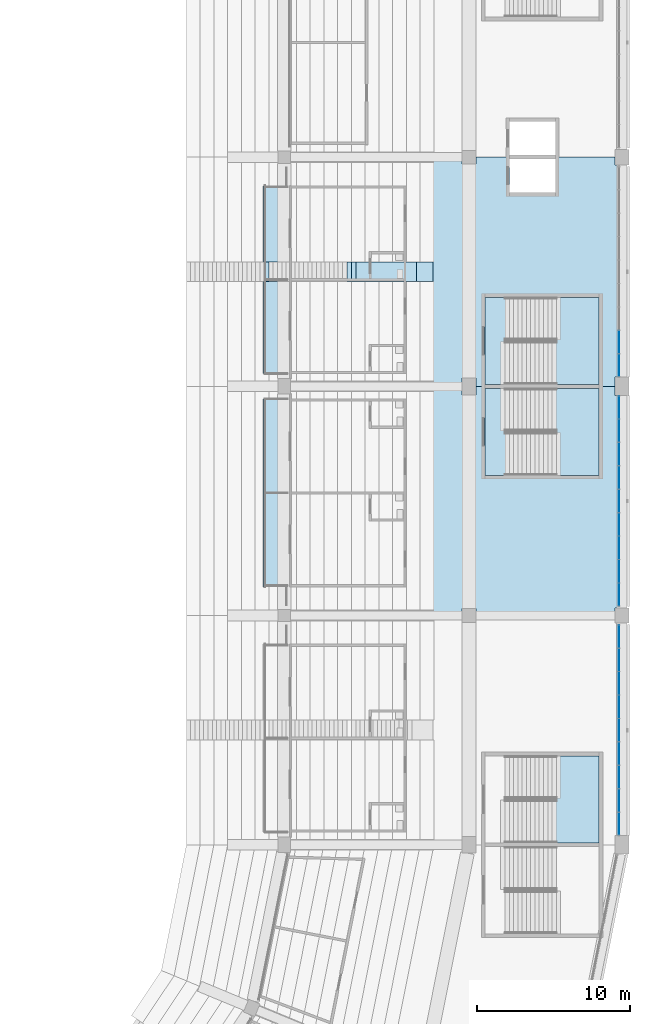
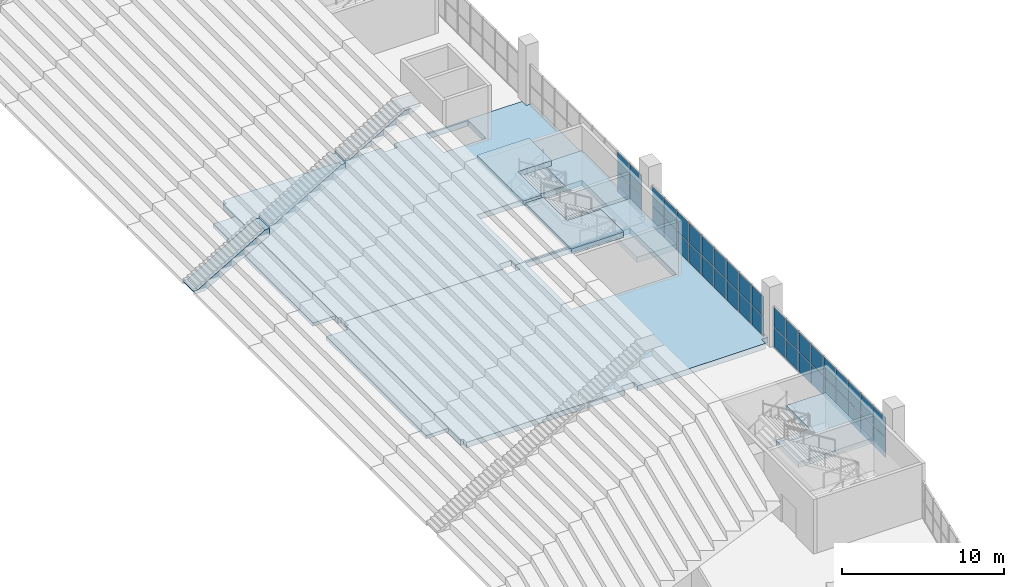
# One storey, part 72 of 249: 40 plates, 12 slabs, 6 elements without a shape of their own.
"""IFC4 building model written with IfcOpenShell, lengths in metres."""

from ifc_helpers import new_model, si_unit, direction, frame, origin, origin_2d, place, context, subcontext, project, spatial, polyline, rectangle, outline, extrude, material, layer, layer_set, type_object, element, aggregate, save


model = new_model("IFC4")

# Units and contexts
model_context = context("Model", 3, precision=1e-05, world=origin(), true_north=direction((0.0, 1.0)))
body_context = subcontext(model_context, "Body", "Model", "MODEL_VIEW")
ifc_project = project(units=[si_unit("LENGTHUNIT", "METRE"), si_unit("AREAUNIT", "SQUARE_METRE"), si_unit("VOLUMEUNIT", "CUBIC_METRE"), si_unit("PLANEANGLEUNIT", "RADIAN"), si_unit("MASSUNIT", "GRAM", prefix="KILO")], contexts=[model_context])

# Site, building, storey
site_placement = place(None, origin())
site = spatial("IfcSite", under=ifc_project, at=site_placement, CompositionType="ELEMENT")
building_placement = place(site_placement, origin())
building = spatial("IfcBuilding", under=site, at=building_placement, Name="Ogive Plaza Stadium", CompositionType="ELEMENT")
storey_placement = place(building_placement, frame((0.0, 0.0, 13.5)))
storey = spatial("IfcBuildingStorey", under=building, at=storey_placement, Name="L03", CompositionType="ELEMENT", Elevation=13.5)

# Slabs
ifc_material_1 = material(Name="Concrete C40/50", Category="concrete")
ifc_layer_1 = layer(ifc_material_1, 0.73486328125)
ifc_layer_set_1 = layer_set([ifc_layer_1], Name="Concrete C40/50")
ifc_layer_2 = layer(ifc_material_1, 0.449951171875)
ifc_layer_set_2 = layer_set([ifc_layer_2], Name="Concrete C40/50")
slab_type_1 = type_object("IfcSlabType", Name="Aisle stair slab 1300", PredefinedType="USERDEFINED", material=ifc_layer_set_2)
slab_1_placement = place(storey_placement, frame((55.5, -15.0, -13.5), z_axis=(0.0, 0.0, 1.0), x_axis=(1.0, 0.0, 0.0)))
element("IfcSlab", 1, at=slab_1_placement, inside=storey, type_object=slab_type_1, material=ifc_layer_set_1, Name="Aisle stair SA05U slab 1", ObjectType="AISLE STAIR SLAB", PredefinedType="USERDEFINED", context=body_context, shape_type="SweptSolid", body=[
    extrude(outline(polyline([(0.0, 14.0), (0.2958984375, 14.0), (5.10009765625, 16.825927734375), (5.39990234375, 16.825927734375), (5.39990234375, 16.300048828125), (5.359375, 16.27734375), (5.209228515625, 16.194091796875), (5.059326171875, 16.110595703125), (4.9091796875, 16.02734375), (4.75927734375, 15.944091796875), (4.609375, 15.860595703125), (4.459228515625, 15.77734375), (4.309326171875, 15.694091796875), (4.1591796875, 15.610595703125), (4.00927734375, 15.52734375), (3.859375, 15.444091796875), (3.709228515625, 15.360595703125), (3.559326171875, 15.27734375), (3.4091796875, 15.194091796875), (3.25927734375, 15.110595703125), (3.109375, 15.02734375), (2.959228515625, 14.944091796875), (2.809326171875, 14.860595703125), (2.6591796875, 14.77734375), (2.50927734375, 14.694091796875), (2.359375, 14.610595703125), (2.209228515625, 14.52734375), (2.059326171875, 14.444091796875), (1.9091796875, 14.360595703125), (1.75927734375, 14.27734375), (1.609375, 14.194091796875), (1.459228515625, 14.110595703125), (1.309326171875, 14.02734375), (1.1591796875, 13.944091796875), (1.00927734375, 13.860595703125), (0.859375, 13.77734375), (0.709228515625, 13.75), (0.559326171875, 13.75), (0.4091796875, 13.75), (0.25927734375, 13.75), (0.109375, 13.75), (0.0, 14.0)])), frame((0.0, 0.64990234375, 0.0), z_axis=(0.0, -1.0, 0.0), x_axis=(1.0, 0.0, 0.0)), (0.0, 0.0, 1.0), 1.300048828125),
])
ifc_layer_3 = layer(ifc_material_1, 0.75927734375)
ifc_layer_set_3 = layer_set([ifc_layer_3], Name="Concrete C40/50")
slab_2_placement = place(storey_placement, frame((60.89990234375, -15.0, -13.5), z_axis=(0.0, 0.0, 1.0), x_axis=(1.0, 0.0, 0.0)))
element("IfcSlab", 2, at=slab_2_placement, inside=storey, type_object=slab_type_1, material=ifc_layer_set_3, Name="Aisle stair SA05U slab 2", ObjectType="AISLE STAIR SLAB", PredefinedType="USERDEFINED", context=body_context, shape_type="SweptSolid", body=[
    extrude(outline(polyline([(0.0, 17.0), (0.2958984375, 17.0), (5.10009765625, 19.825927734375), (5.39990234375, 19.825927734375), (5.39990234375, 19.300048828125), (5.25, 19.216796875), (5.10009765625, 19.13330078125), (4.949951171875, 19.050048828125), (4.800048828125, 18.966796875), (4.64990234375, 18.88330078125), (4.5, 18.800048828125), (4.35009765625, 18.716796875), (4.199951171875, 18.63330078125), (4.050048828125, 18.550048828125), (3.89990234375, 18.466796875), (3.75, 18.38330078125), (3.60009765625, 18.300048828125), (3.449951171875, 18.216796875), (3.300048828125, 18.13330078125), (3.14990234375, 18.050048828125), (3.0, 17.966796875), (2.85009765625, 17.88330078125), (2.699951171875, 17.800048828125), (2.550048828125, 17.716796875), (2.39990234375, 17.63330078125), (2.25, 17.550048828125), (2.10009765625, 17.466796875), (1.949951171875, 17.38330078125), (1.800048828125, 17.300048828125), (1.64990234375, 17.216796875), (1.5, 17.13330078125), (1.35009765625, 17.050048828125), (1.199951171875, 16.966796875), (1.050048828125, 16.88330078125), (0.89990234375, 16.800048828125), (0.75, 16.716796875), (0.60009765625, 16.63330078125), (0.449951171875, 16.550048828125), (0.300048828125, 16.466796875), (0.14990234375, 16.38330078125), (0.0, 16.300048828125), (0.0, 17.0)])), frame((0.0, 0.64990234375, 0.0), z_axis=(0.0, -1.0, 0.0), x_axis=(1.0, 0.0, 0.0)), (0.0, 0.0, 1.0), 1.300048828125),
])
ifc_layer_4 = layer(ifc_material_1, 1.08056640625)
ifc_layer_set_4 = layer_set([ifc_layer_4], Name="Concrete C40/50")
slab_3_placement = place(storey_placement, frame((66.300048828125, -15.0, -13.5), z_axis=(0.0, 0.0, 1.0), x_axis=(1.0, 0.0, 0.0)))
element("IfcSlab", 3, at=slab_3_placement, inside=storey, type_object=slab_type_1, material=ifc_layer_set_4, Name="Aisle stair SA05U slab 3", ObjectType="AISLE STAIR SLAB", PredefinedType="USERDEFINED", context=body_context, shape_type="SweptSolid", body=[
    extrude(outline(polyline([(0.0, 20.0), (0.2958984375, 20.0), (4.25, 22.325927734375), (5.35009765625, 22.325927734375), (5.35009765625, 22.272216796875), (5.25, 22.216796875), (5.10009765625, 22.13330078125), (4.949951171875, 22.050048828125), (4.800048828125, 21.966796875), (4.64990234375, 21.88330078125), (4.5, 21.800048828125), (4.35009765625, 21.716796875), (4.199951171875, 21.63330078125), (4.050048828125, 21.550048828125), (3.89990234375, 21.466796875), (3.75, 21.38330078125), (3.60009765625, 21.300048828125), (3.449951171875, 21.216796875), (3.300048828125, 21.13330078125), (3.14990234375, 21.050048828125), (3.0, 20.966796875), (2.85009765625, 20.88330078125), (2.699951171875, 20.800048828125), (2.550048828125, 20.716796875), (2.39990234375, 20.63330078125), (2.25, 20.550048828125), (2.10009765625, 20.466796875), (1.949951171875, 20.38330078125), (1.800048828125, 20.300048828125), (1.64990234375, 20.216796875), (1.5, 20.13330078125), (1.35009765625, 20.050048828125), (1.199951171875, 19.966796875), (1.050048828125, 19.88330078125), (0.89990234375, 19.800048828125), (0.75, 19.716796875), (0.60009765625, 19.63330078125), (0.449951171875, 19.550048828125), (0.300048828125, 19.466796875), (0.14990234375, 19.38330078125), (0.0, 19.300048828125), (0.0, 20.0)])), frame((0.0, 0.64990234375, 0.0), z_axis=(0.0, -1.0, 0.0), x_axis=(1.0, 0.0, 0.0)), (0.0, 0.0, 1.0), 1.300048828125),
])
ifc_material_2 = material(Name="Concrete C40/50", Category="concrete")
ifc_layer_5 = layer(ifc_material_2, 0.25)
ifc_layer_set_5 = layer_set([ifc_layer_5], Name="Concrete C40/50")
slab_type_2 = type_object("IfcSlabType", Name="Balcony slab 250", PredefinedType="FLOOR", material=ifc_layer_set_5)
slab_4_placement = place(storey_placement, frame((0.0, 0.0, -0.25)))
element("IfcSlab", 4, at=slab_4_placement, inside=storey, type_object=slab_type_2, Name="Suite terrace slab B05", PredefinedType="FLOOR", context=body_context, shape_type="SweptSolid", body=[
    extrude(outline(polyline([(60.5, -21.675048828125), (62.10009765625, -21.675048828125), (62.10009765625, -9.375), (60.5, -9.375), (60.5, -21.675048828125)])), origin(), (0.0, 0.0, 1.0), 0.25),
])
slab_5_placement = place(storey_placement, frame((0.0, 0.0, -0.25)))
element("IfcSlab", 5, at=slab_5_placement, inside=storey, type_object=slab_type_2, Name="Suite terrace slab B06", PredefinedType="FLOOR", context=body_context, shape_type="SweptSolid", body=[
    extrude(outline(polyline([(60.5, -35.625), (62.10009765625, -35.625), (62.10009765625, -23.324951171875), (60.5, -23.324951171875), (60.5, -35.625)])), origin(), (0.0, 0.0, 1.0), 0.25),
])

# Curtain wall, plates
ifc_material_3 = material(Name="Bronze-anodised aluminium with laminated glass", Category="aluminium")
curtain_wall_type = type_object("IfcCurtainWallType", Name="Lancet curtain wall", PredefinedType="NOTDEFINED", material=ifc_material_3)
curtain_wall_1_placement = place(storey_placement, origin())
curtain_wall_1 = element("IfcCurtainWall", 6, at=curtain_wall_1_placement, inside=storey, type_object=curtain_wall_type, Name="CURTAIN WALL B05 L03", PredefinedType="NOTDEFINED")
ifc_material_4 = material(Name="Laminated glass", Category="glass")
ifc_layer_6 = layer(ifc_material_4, 0.028076171875)
ifc_layer_set_6 = layer_set([ifc_layer_6], Name="Laminated glass panel 28")
plate_type = type_object("IfcPlateType", Name="Laminated glass panel 28", PredefinedType="CURTAIN_PANEL", material=ifc_layer_set_6)
plate_1_placement = place(storey_placement, frame((83.800048828125, -19.60009765625, 0.0498046875), z_axis=(0.0, 0.0, 1.0), x_axis=(0.0, -1.0, 0.0)))
plate_1 = element("IfcPlate", 7, at=plate_1_placement, type_object=plate_type, Name="CW-B05-L03 panel 8.1", PredefinedType="CURTAIN_PANEL", context=body_context, shape_type="SweptSolid", body=[
    extrude(rectangle(XDim=1.4833984375, YDim=0.028076171875, at=origin_2d()), origin(), (0.0, 0.0, 1.0), 1.469970703125),
])
plate_2_placement = place(storey_placement, frame((83.800048828125, -19.60009765625, 1.56982421875), z_axis=(0.0, 0.0, 1.0), x_axis=(0.0, -1.0, 0.0)))
plate_2 = element("IfcPlate", 8, at=plate_2_placement, type_object=plate_type, Name="CW-B05-L03 panel 8.2", PredefinedType="CURTAIN_PANEL", context=body_context, shape_type="SweptSolid", body=[
    extrude(rectangle(XDim=1.4833984375, YDim=0.028076171875, at=origin_2d()), origin(), (0.0, 0.0, 1.0), 1.469970703125),
])
plate_3_placement = place(storey_placement, frame((83.800048828125, -21.120849609375, 0.0498046875), z_axis=(0.0, 0.0, 1.0), x_axis=(0.0, -1.0, 0.0)))
plate_3 = element("IfcPlate", 9, at=plate_3_placement, type_object=plate_type, Name="CW-B05-L03 panel 9.1", PredefinedType="CURTAIN_PANEL", context=body_context, shape_type="SweptSolid", body=[
    extrude(rectangle(XDim=1.458251953125, YDim=0.028076171875, at=origin_2d()), origin(), (0.0, 0.0, 1.0), 1.469970703125),
])
plate_4_placement = place(storey_placement, frame((83.800048828125, -21.120849609375, 1.56982421875), z_axis=(0.0, 0.0, 1.0), x_axis=(0.0, -1.0, 0.0)))
plate_4 = element("IfcPlate", 10, at=plate_4_placement, type_object=plate_type, Name="CW-B05-L03 panel 9.2", PredefinedType="CURTAIN_PANEL", context=body_context, shape_type="SweptSolid", body=[
    extrude(rectangle(XDim=1.458251953125, YDim=0.028076171875, at=origin_2d()), origin(), (0.0, 0.0, 1.0), 1.469970703125),
])
aggregate(curtain_wall_1, [plate_1, plate_2, plate_3, plate_4])

curtain_wall_2_placement = place(storey_placement, origin())
curtain_wall_2 = element("IfcCurtainWall", 11, at=curtain_wall_2_placement, inside=storey, type_object=curtain_wall_type, Name="CURTAIN WALL B06 L03", PredefinedType="NOTDEFINED")
plate_5_placement = place(storey_placement, frame((83.800048828125, -23.879150390625, 0.0498046875), z_axis=(0.0, 0.0, 1.0), x_axis=(0.0, -1.0, 0.0)))
plate_5 = element("IfcPlate", 12, at=plate_5_placement, type_object=plate_type, Name="CW-B06-L03 panel 1.1", PredefinedType="CURTAIN_PANEL", context=body_context, shape_type="SweptSolid", body=[
    extrude(rectangle(XDim=1.458251953125, YDim=0.028076171875, at=origin_2d()), origin(), (0.0, 0.0, 1.0), 1.469970703125),
])
plate_6_placement = place(storey_placement, frame((83.800048828125, -23.879150390625, 1.56982421875), z_axis=(0.0, 0.0, 1.0), x_axis=(0.0, -1.0, 0.0)))
plate_6 = element("IfcPlate", 13, at=plate_6_placement, type_object=plate_type, Name="CW-B06-L03 panel 1.2", PredefinedType="CURTAIN_PANEL", context=body_context, shape_type="SweptSolid", body=[
    extrude(rectangle(XDim=1.458251953125, YDim=0.028076171875, at=origin_2d()), origin(), (0.0, 0.0, 1.0), 1.469970703125),
])
plate_7_placement = place(storey_placement, frame((83.800048828125, -25.39990234375, 0.0498046875), z_axis=(0.0, 0.0, 1.0), x_axis=(0.0, -1.0, 0.0)))
plate_7 = element("IfcPlate", 14, at=plate_7_placement, type_object=plate_type, Name="CW-B06-L03 panel 2.1", PredefinedType="CURTAIN_PANEL", context=body_context, shape_type="SweptSolid", body=[
    extrude(rectangle(XDim=1.4833984375, YDim=0.028076171875, at=origin_2d()), origin(), (0.0, 0.0, 1.0), 1.469970703125),
])
plate_8_placement = place(storey_placement, frame((83.800048828125, -25.39990234375, 1.56982421875), z_axis=(0.0, 0.0, 1.0), x_axis=(0.0, -1.0, 0.0)))
plate_8 = element("IfcPlate", 15, at=plate_8_placement, type_object=plate_type, Name="CW-B06-L03 panel 2.2", PredefinedType="CURTAIN_PANEL", context=body_context, shape_type="SweptSolid", body=[
    extrude(rectangle(XDim=1.4833984375, YDim=0.028076171875, at=origin_2d()), origin(), (0.0, 0.0, 1.0), 1.469970703125),
])
plate_9_placement = place(storey_placement, frame((83.800048828125, -26.933349609375, 0.0498046875), z_axis=(0.0, 0.0, 1.0), x_axis=(0.0, -1.0, 0.0)))
plate_9 = element("IfcPlate", 16, at=plate_9_placement, type_object=plate_type, Name="CW-B06-L03 panel 3.1", PredefinedType="CURTAIN_PANEL", context=body_context, shape_type="SweptSolid", body=[
    extrude(rectangle(XDim=1.4833984375, YDim=0.028076171875, at=origin_2d()), origin(), (0.0, 0.0, 1.0), 1.469970703125),
])
plate_10_placement = place(storey_placement, frame((83.800048828125, -26.933349609375, 1.56982421875), z_axis=(0.0, 0.0, 1.0), x_axis=(0.0, -1.0, 0.0)))
plate_10 = element("IfcPlate", 17, at=plate_10_placement, type_object=plate_type, Name="CW-B06-L03 panel 3.2", PredefinedType="CURTAIN_PANEL", context=body_context, shape_type="SweptSolid", body=[
    extrude(rectangle(XDim=1.4833984375, YDim=0.028076171875, at=origin_2d()), origin(), (0.0, 0.0, 1.0), 1.469970703125),
])
plate_11_placement = place(storey_placement, frame((83.800048828125, -28.466552734375, 0.0498046875), z_axis=(0.0, 0.0, 1.0), x_axis=(0.0, -1.0, 0.0)))
plate_11 = element("IfcPlate", 18, at=plate_11_placement, type_object=plate_type, Name="CW-B06-L03 panel 4.1", PredefinedType="CURTAIN_PANEL", context=body_context, shape_type="SweptSolid", body=[
    extrude(rectangle(XDim=1.4833984375, YDim=0.028076171875, at=origin_2d()), origin(), (0.0, 0.0, 1.0), 1.469970703125),
])
plate_12_placement = place(storey_placement, frame((83.800048828125, -28.466552734375, 1.56982421875), z_axis=(0.0, 0.0, 1.0), x_axis=(0.0, -1.0, 0.0)))
plate_12 = element("IfcPlate", 19, at=plate_12_placement, type_object=plate_type, Name="CW-B06-L03 panel 4.2", PredefinedType="CURTAIN_PANEL", context=body_context, shape_type="SweptSolid", body=[
    extrude(rectangle(XDim=1.4833984375, YDim=0.028076171875, at=origin_2d()), origin(), (0.0, 0.0, 1.0), 1.469970703125),
])
plate_13_placement = place(storey_placement, frame((83.800048828125, -30.0, 0.0498046875), z_axis=(0.0, 0.0, 1.0), x_axis=(0.0, -1.0, 0.0)))
plate_13 = element("IfcPlate", 20, at=plate_13_placement, type_object=plate_type, Name="CW-B06-L03 panel 5.1", PredefinedType="CURTAIN_PANEL", context=body_context, shape_type="SweptSolid", body=[
    extrude(rectangle(XDim=1.4833984375, YDim=0.028076171875, at=origin_2d()), origin(), (0.0, 0.0, 1.0), 1.469970703125),
])
plate_14_placement = place(storey_placement, frame((83.800048828125, -30.0, 1.56982421875), z_axis=(0.0, 0.0, 1.0), x_axis=(0.0, -1.0, 0.0)))
plate_14 = element("IfcPlate", 21, at=plate_14_placement, type_object=plate_type, Name="CW-B06-L03 panel 5.2", PredefinedType="CURTAIN_PANEL", context=body_context, shape_type="SweptSolid", body=[
    extrude(rectangle(XDim=1.4833984375, YDim=0.028076171875, at=origin_2d()), origin(), (0.0, 0.0, 1.0), 1.469970703125),
])
plate_15_placement = place(storey_placement, frame((83.800048828125, -31.533447265625, 0.0498046875), z_axis=(0.0, 0.0, 1.0), x_axis=(0.0, -1.0, 0.0)))
plate_15 = element("IfcPlate", 22, at=plate_15_placement, type_object=plate_type, Name="CW-B06-L03 panel 6.1", PredefinedType="CURTAIN_PANEL", context=body_context, shape_type="SweptSolid", body=[
    extrude(rectangle(XDim=1.4833984375, YDim=0.028076171875, at=origin_2d()), origin(), (0.0, 0.0, 1.0), 1.469970703125),
])
plate_16_placement = place(storey_placement, frame((83.800048828125, -31.533447265625, 1.56982421875), z_axis=(0.0, 0.0, 1.0), x_axis=(0.0, -1.0, 0.0)))
plate_16 = element("IfcPlate", 23, at=plate_16_placement, type_object=plate_type, Name="CW-B06-L03 panel 6.2", PredefinedType="CURTAIN_PANEL", context=body_context, shape_type="SweptSolid", body=[
    extrude(rectangle(XDim=1.4833984375, YDim=0.028076171875, at=origin_2d()), origin(), (0.0, 0.0, 1.0), 1.469970703125),
])
plate_17_placement = place(storey_placement, frame((83.800048828125, -33.066650390625, 0.0498046875), z_axis=(0.0, 0.0, 1.0), x_axis=(0.0, -1.0, 0.0)))
plate_17 = element("IfcPlate", 24, at=plate_17_placement, type_object=plate_type, Name="CW-B06-L03 panel 7.1", PredefinedType="CURTAIN_PANEL", context=body_context, shape_type="SweptSolid", body=[
    extrude(rectangle(XDim=1.4833984375, YDim=0.028076171875, at=origin_2d()), origin(), (0.0, 0.0, 1.0), 1.469970703125),
])
plate_18_placement = place(storey_placement, frame((83.800048828125, -33.066650390625, 1.56982421875), z_axis=(0.0, 0.0, 1.0), x_axis=(0.0, -1.0, 0.0)))
plate_18 = element("IfcPlate", 25, at=plate_18_placement, type_object=plate_type, Name="CW-B06-L03 panel 7.2", PredefinedType="CURTAIN_PANEL", context=body_context, shape_type="SweptSolid", body=[
    extrude(rectangle(XDim=1.4833984375, YDim=0.028076171875, at=origin_2d()), origin(), (0.0, 0.0, 1.0), 1.469970703125),
])
plate_19_placement = place(storey_placement, frame((83.800048828125, -34.60009765625, 0.0498046875), z_axis=(0.0, 0.0, 1.0), x_axis=(0.0, -1.0, 0.0)))
plate_19 = element("IfcPlate", 26, at=plate_19_placement, type_object=plate_type, Name="CW-B06-L03 panel 8.1", PredefinedType="CURTAIN_PANEL", context=body_context, shape_type="SweptSolid", body=[
    extrude(rectangle(XDim=1.4833984375, YDim=0.028076171875, at=origin_2d()), origin(), (0.0, 0.0, 1.0), 1.469970703125),
])
plate_20_placement = place(storey_placement, frame((83.800048828125, -34.60009765625, 1.56982421875), z_axis=(0.0, 0.0, 1.0), x_axis=(0.0, -1.0, 0.0)))
plate_20 = element("IfcPlate", 27, at=plate_20_placement, type_object=plate_type, Name="CW-B06-L03 panel 8.2", PredefinedType="CURTAIN_PANEL", context=body_context, shape_type="SweptSolid", body=[
    extrude(rectangle(XDim=1.4833984375, YDim=0.028076171875, at=origin_2d()), origin(), (0.0, 0.0, 1.0), 1.469970703125),
])
plate_21_placement = place(storey_placement, frame((83.800048828125, -36.120849609375, 0.0498046875), z_axis=(0.0, 0.0, 1.0), x_axis=(0.0, -1.0, 0.0)))
plate_21 = element("IfcPlate", 28, at=plate_21_placement, type_object=plate_type, Name="CW-B06-L03 panel 9.1", PredefinedType="CURTAIN_PANEL", context=body_context, shape_type="SweptSolid", body=[
    extrude(rectangle(XDim=1.458251953125, YDim=0.028076171875, at=origin_2d()), origin(), (0.0, 0.0, 1.0), 1.469970703125),
])
plate_22_placement = place(storey_placement, frame((83.800048828125, -36.120849609375, 1.56982421875), z_axis=(0.0, 0.0, 1.0), x_axis=(0.0, -1.0, 0.0)))
plate_22 = element("IfcPlate", 29, at=plate_22_placement, type_object=plate_type, Name="CW-B06-L03 panel 9.2", PredefinedType="CURTAIN_PANEL", context=body_context, shape_type="SweptSolid", body=[
    extrude(rectangle(XDim=1.458251953125, YDim=0.028076171875, at=origin_2d()), origin(), (0.0, 0.0, 1.0), 1.469970703125),
])
aggregate(curtain_wall_2, [plate_5, plate_6, plate_7, plate_8, plate_9, plate_10, plate_11, plate_12, plate_13, plate_14, plate_15, plate_16, plate_17, plate_18, plate_19, plate_20, plate_21, plate_22])

curtain_wall_3_placement = place(storey_placement, origin())
curtain_wall_3 = element("IfcCurtainWall", 30, at=curtain_wall_3_placement, inside=storey, type_object=curtain_wall_type, Name="CURTAIN WALL B07 L03", PredefinedType="NOTDEFINED")
plate_23_placement = place(storey_placement, frame((83.800048828125, -38.879150390625, 0.0498046875), z_axis=(0.0, 0.0, 1.0), x_axis=(0.0, -1.0, 0.0)))
plate_23 = element("IfcPlate", 31, at=plate_23_placement, type_object=plate_type, Name="CW-B07-L03 panel 1.1", PredefinedType="CURTAIN_PANEL", context=body_context, shape_type="SweptSolid", body=[
    extrude(rectangle(XDim=1.458251953125, YDim=0.028076171875, at=origin_2d()), origin(), (0.0, 0.0, 1.0), 1.469970703125),
])
plate_24_placement = place(storey_placement, frame((83.800048828125, -38.879150390625, 1.56982421875), z_axis=(0.0, 0.0, 1.0), x_axis=(0.0, -1.0, 0.0)))
plate_24 = element("IfcPlate", 32, at=plate_24_placement, type_object=plate_type, Name="CW-B07-L03 panel 1.2", PredefinedType="CURTAIN_PANEL", context=body_context, shape_type="SweptSolid", body=[
    extrude(rectangle(XDim=1.458251953125, YDim=0.028076171875, at=origin_2d()), origin(), (0.0, 0.0, 1.0), 1.469970703125),
])
plate_25_placement = place(storey_placement, frame((83.800048828125, -40.39990234375, 0.0498046875), z_axis=(0.0, 0.0, 1.0), x_axis=(0.0, -1.0, 0.0)))
plate_25 = element("IfcPlate", 33, at=plate_25_placement, type_object=plate_type, Name="CW-B07-L03 panel 2.1", PredefinedType="CURTAIN_PANEL", context=body_context, shape_type="SweptSolid", body=[
    extrude(rectangle(XDim=1.4833984375, YDim=0.028076171875, at=origin_2d()), origin(), (0.0, 0.0, 1.0), 1.469970703125),
])
plate_26_placement = place(storey_placement, frame((83.800048828125, -40.39990234375, 1.56982421875), z_axis=(0.0, 0.0, 1.0), x_axis=(0.0, -1.0, 0.0)))
plate_26 = element("IfcPlate", 34, at=plate_26_placement, type_object=plate_type, Name="CW-B07-L03 panel 2.2", PredefinedType="CURTAIN_PANEL", context=body_context, shape_type="SweptSolid", body=[
    extrude(rectangle(XDim=1.4833984375, YDim=0.028076171875, at=origin_2d()), origin(), (0.0, 0.0, 1.0), 1.469970703125),
])
plate_27_placement = place(storey_placement, frame((83.800048828125, -41.933349609375, 0.0498046875), z_axis=(0.0, 0.0, 1.0), x_axis=(0.0, -1.0, 0.0)))
plate_27 = element("IfcPlate", 35, at=plate_27_placement, type_object=plate_type, Name="CW-B07-L03 panel 3.1", PredefinedType="CURTAIN_PANEL", context=body_context, shape_type="SweptSolid", body=[
    extrude(rectangle(XDim=1.4833984375, YDim=0.028076171875, at=origin_2d()), origin(), (0.0, 0.0, 1.0), 1.469970703125),
])
plate_28_placement = place(storey_placement, frame((83.800048828125, -41.933349609375, 1.56982421875), z_axis=(0.0, 0.0, 1.0), x_axis=(0.0, -1.0, 0.0)))
plate_28 = element("IfcPlate", 36, at=plate_28_placement, type_object=plate_type, Name="CW-B07-L03 panel 3.2", PredefinedType="CURTAIN_PANEL", context=body_context, shape_type="SweptSolid", body=[
    extrude(rectangle(XDim=1.4833984375, YDim=0.028076171875, at=origin_2d()), origin(), (0.0, 0.0, 1.0), 1.469970703125),
])
plate_29_placement = place(storey_placement, frame((83.800048828125, -43.466552734375, 0.0498046875), z_axis=(0.0, 0.0, 1.0), x_axis=(0.0, -1.0, 0.0)))
plate_29 = element("IfcPlate", 37, at=plate_29_placement, type_object=plate_type, Name="CW-B07-L03 panel 4.1", PredefinedType="CURTAIN_PANEL", context=body_context, shape_type="SweptSolid", body=[
    extrude(rectangle(XDim=1.4833984375, YDim=0.028076171875, at=origin_2d()), origin(), (0.0, 0.0, 1.0), 1.469970703125),
])
plate_30_placement = place(storey_placement, frame((83.800048828125, -43.466552734375, 1.56982421875), z_axis=(0.0, 0.0, 1.0), x_axis=(0.0, -1.0, 0.0)))
plate_30 = element("IfcPlate", 38, at=plate_30_placement, type_object=plate_type, Name="CW-B07-L03 panel 4.2", PredefinedType="CURTAIN_PANEL", context=body_context, shape_type="SweptSolid", body=[
    extrude(rectangle(XDim=1.4833984375, YDim=0.028076171875, at=origin_2d()), origin(), (0.0, 0.0, 1.0), 1.469970703125),
])
plate_31_placement = place(storey_placement, frame((83.800048828125, -45.0, 0.0498046875), z_axis=(0.0, 0.0, 1.0), x_axis=(0.0, -1.0, 0.0)))
plate_31 = element("IfcPlate", 39, at=plate_31_placement, type_object=plate_type, Name="CW-B07-L03 panel 5.1", PredefinedType="CURTAIN_PANEL", context=body_context, shape_type="SweptSolid", body=[
    extrude(rectangle(XDim=1.4833984375, YDim=0.028076171875, at=origin_2d()), origin(), (0.0, 0.0, 1.0), 1.469970703125),
])
plate_32_placement = place(storey_placement, frame((83.800048828125, -45.0, 1.56982421875), z_axis=(0.0, 0.0, 1.0), x_axis=(0.0, -1.0, 0.0)))
plate_32 = element("IfcPlate", 40, at=plate_32_placement, type_object=plate_type, Name="CW-B07-L03 panel 5.2", PredefinedType="CURTAIN_PANEL", context=body_context, shape_type="SweptSolid", body=[
    extrude(rectangle(XDim=1.4833984375, YDim=0.028076171875, at=origin_2d()), origin(), (0.0, 0.0, 1.0), 1.469970703125),
])
plate_33_placement = place(storey_placement, frame((83.800048828125, -46.533447265625, 0.0498046875), z_axis=(0.0, 0.0, 1.0), x_axis=(0.0, -1.0, 0.0)))
plate_33 = element("IfcPlate", 41, at=plate_33_placement, type_object=plate_type, Name="CW-B07-L03 panel 6.1", PredefinedType="CURTAIN_PANEL", context=body_context, shape_type="SweptSolid", body=[
    extrude(rectangle(XDim=1.4833984375, YDim=0.028076171875, at=origin_2d()), origin(), (0.0, 0.0, 1.0), 1.469970703125),
])
plate_34_placement = place(storey_placement, frame((83.800048828125, -46.533447265625, 1.56982421875), z_axis=(0.0, 0.0, 1.0), x_axis=(0.0, -1.0, 0.0)))
plate_34 = element("IfcPlate", 42, at=plate_34_placement, type_object=plate_type, Name="CW-B07-L03 panel 6.2", PredefinedType="CURTAIN_PANEL", context=body_context, shape_type="SweptSolid", body=[
    extrude(rectangle(XDim=1.4833984375, YDim=0.028076171875, at=origin_2d()), origin(), (0.0, 0.0, 1.0), 1.469970703125),
])
plate_35_placement = place(storey_placement, frame((83.800048828125, -48.066650390625, 0.0498046875), z_axis=(0.0, 0.0, 1.0), x_axis=(0.0, -1.0, 0.0)))
plate_35 = element("IfcPlate", 43, at=plate_35_placement, type_object=plate_type, Name="CW-B07-L03 panel 7.1", PredefinedType="CURTAIN_PANEL", context=body_context, shape_type="SweptSolid", body=[
    extrude(rectangle(XDim=1.4833984375, YDim=0.028076171875, at=origin_2d()), origin(), (0.0, 0.0, 1.0), 1.469970703125),
])
plate_36_placement = place(storey_placement, frame((83.800048828125, -48.066650390625, 1.56982421875), z_axis=(0.0, 0.0, 1.0), x_axis=(0.0, -1.0, 0.0)))
plate_36 = element("IfcPlate", 44, at=plate_36_placement, type_object=plate_type, Name="CW-B07-L03 panel 7.2", PredefinedType="CURTAIN_PANEL", context=body_context, shape_type="SweptSolid", body=[
    extrude(rectangle(XDim=1.4833984375, YDim=0.028076171875, at=origin_2d()), origin(), (0.0, 0.0, 1.0), 1.469970703125),
])
plate_37_placement = place(storey_placement, frame((83.800048828125, -49.60009765625, 0.0498046875), z_axis=(0.0, 0.0, 1.0), x_axis=(0.0, -1.0, 0.0)))
plate_37 = element("IfcPlate", 45, at=plate_37_placement, type_object=plate_type, Name="CW-B07-L03 panel 8.1", PredefinedType="CURTAIN_PANEL", context=body_context, shape_type="SweptSolid", body=[
    extrude(rectangle(XDim=1.4833984375, YDim=0.028076171875, at=origin_2d()), origin(), (0.0, 0.0, 1.0), 1.469970703125),
])
plate_38_placement = place(storey_placement, frame((83.800048828125, -49.60009765625, 1.56982421875), z_axis=(0.0, 0.0, 1.0), x_axis=(0.0, -1.0, 0.0)))
plate_38 = element("IfcPlate", 46, at=plate_38_placement, type_object=plate_type, Name="CW-B07-L03 panel 8.2", PredefinedType="CURTAIN_PANEL", context=body_context, shape_type="SweptSolid", body=[
    extrude(rectangle(XDim=1.4833984375, YDim=0.028076171875, at=origin_2d()), origin(), (0.0, 0.0, 1.0), 1.469970703125),
])
plate_39_placement = place(storey_placement, frame((83.800048828125, -51.120849609375, 0.0498046875), z_axis=(0.0, 0.0, 1.0), x_axis=(0.0, -1.0, 0.0)))
plate_39 = element("IfcPlate", 47, at=plate_39_placement, type_object=plate_type, Name="CW-B07-L03 panel 9.1", PredefinedType="CURTAIN_PANEL", context=body_context, shape_type="SweptSolid", body=[
    extrude(rectangle(XDim=1.458251953125, YDim=0.028076171875, at=origin_2d()), origin(), (0.0, 0.0, 1.0), 1.469970703125),
])
plate_40_placement = place(storey_placement, frame((83.800048828125, -51.120849609375, 1.56982421875), z_axis=(0.0, 0.0, 1.0), x_axis=(0.0, -1.0, 0.0)))
plate_40 = element("IfcPlate", 48, at=plate_40_placement, type_object=plate_type, Name="CW-B07-L03 panel 9.2", PredefinedType="CURTAIN_PANEL", context=body_context, shape_type="SweptSolid", body=[
    extrude(rectangle(XDim=1.458251953125, YDim=0.028076171875, at=origin_2d()), origin(), (0.0, 0.0, 1.0), 1.469970703125),
])
aggregate(curtain_wall_3, [plate_23, plate_24, plate_25, plate_26, plate_27, plate_28, plate_29, plate_30, plate_31, plate_32, plate_33, plate_34, plate_35, plate_36, plate_37, plate_38, plate_39, plate_40])

# Slabs
ifc_material_5 = material(Name="Concrete C40/50", Category="concrete")
ifc_layer_7 = layer(ifc_material_5, 0.409912109375)
ifc_layer_set_7 = layer_set([ifc_layer_7], Name="Concrete C40/50")
slab_type_3 = type_object("IfcSlabType", Name="RC floor slab 410", PredefinedType="FLOOR", material=ifc_layer_set_7)
slab_6_placement = place(storey_placement, frame((0.0, 0.0, -0.409912109375)))
element("IfcSlab", 49, at=slab_6_placement, inside=storey, type_object=slab_type_3, Name="Floor slab L03 B05", PredefinedType="FLOOR", context=body_context, shape_type="SweptSolid", body=[
    extrude(outline(polyline([(73.550048828125, -22.5), (73.550048828125, -21.949951171875), (74.449951171875, -21.949951171875), (74.449951171875, -22.5), (83.550048828125, -22.5), (83.550048828125, -21.89990234375), (84.0, -21.89990234375), (84.0, -8.0), (83.550048828125, -8.0), (83.550048828125, -7.5), (74.449951171875, -7.5), (74.449951171875, -7.949951171875), (73.550048828125, -7.949951171875), (73.550048828125, -7.5), (62.300048828125, -7.5), (62.300048828125, -7.89990234375), (62.10009765625, -7.89990234375), (62.10009765625, -22.0), (62.300048828125, -22.0), (62.300048828125, -22.5), (73.550048828125, -22.5)]), holes=[polyline([(75.050048828125, -16.675048828125), (75.050048828125, -22.375), (82.510009765625, -22.375), (82.510009765625, -16.675048828125), (75.050048828125, -16.675048828125)]), polyline([(76.64990234375, -7.625), (76.64990234375, -9.824951171875), (79.64990234375, -9.824951171875), (79.64990234375, -7.625), (76.64990234375, -7.625)])]), origin(), (0.0, 0.0, 1.0), 0.409912109375),
])
slab_7_placement = place(storey_placement, frame((0.0, 0.0, -0.409912109375)))
element("IfcSlab", 50, at=slab_7_placement, inside=storey, type_object=slab_type_3, Name="Floor slab L03 B06", PredefinedType="FLOOR", context=body_context, shape_type="SweptSolid", body=[
    extrude(outline(polyline([(73.550048828125, -37.5), (73.550048828125, -37.050048828125), (74.449951171875, -37.050048828125), (74.449951171875, -37.5), (83.550048828125, -37.5), (83.550048828125, -37.0), (84.0, -37.0), (84.0, -23.10009765625), (83.550048828125, -23.10009765625), (83.550048828125, -22.5), (74.449951171875, -22.5), (74.449951171875, -23.050048828125), (73.550048828125, -23.050048828125), (73.550048828125, -22.5), (62.300048828125, -22.5), (62.300048828125, -23.0), (62.10009765625, -23.0), (62.10009765625, -37.10009765625), (62.300048828125, -37.10009765625), (62.300048828125, -37.5), (73.550048828125, -37.5)]), holes=[polyline([(75.050048828125, -22.625), (75.050048828125, -28.324951171875), (82.510009765625, -28.324951171875), (82.510009765625, -22.625), (75.050048828125, -22.625)])]), origin(), (0.0, 0.0, 1.0), 0.409912109375),
])

# Stair, slabs
ifc_material_6 = material(Name="Concrete C40/50", Category="concrete")
stair_type = type_object("IfcStairType", Name="Exit stair", PredefinedType="STRAIGHT_RUN_STAIR", material=ifc_material_6)
stair_1_placement = place(storey_placement, origin())
stair_1 = element("IfcStair", 51, at=stair_1_placement, inside=storey, type_object=stair_type, Name="Exit stair ST06A L03 to L04", PredefinedType="STRAIGHT_RUN_STAIR")
ifc_material_7 = material(Name="Concrete C40/50", Category="concrete")
ifc_layer_8 = layer(ifc_material_7, 0.39990234375)
ifc_layer_set_8 = layer_set([ifc_layer_8], Name="Concrete C40/50")
slab_type_4 = type_object("IfcSlabType", Name="Stair landing", PredefinedType="LANDING", material=ifc_layer_set_8)
slab_8_placement = place(storey_placement, frame((0.0, 0.0, 1.85009765625)))
slab_8 = element("IfcSlab", 52, at=slab_8_placement, type_object=slab_type_4, Name="ST06A landing 1", PredefinedType="LANDING", context=body_context, shape_type="SweptSolid", body=[
    extrude(outline(polyline([(82.510009765625, -22.625), (82.510009765625, -28.324951171875), (79.7099609375, -28.324951171875), (79.7099609375, -25.425048828125), (77.31005859375, -25.425048828125), (77.31005859375, -22.625), (79.7099609375, -22.625), (82.510009765625, -22.625)])), origin(), (0.0, 0.0, 1.0), 0.39990234375),
])
slab_9_placement = place(storey_placement, frame((0.0, 0.0, 4.10009765625)))
slab_9 = element("IfcSlab", 53, at=slab_9_placement, type_object=slab_type_4, Name="ST06A landing 2", PredefinedType="LANDING", context=body_context, shape_type="SweptSolid", body=[
    extrude(outline(polyline([(78.75, -25.52490234375), (78.75, -28.324951171875), (76.35009765625, -28.324951171875), (75.050048828125, -28.324951171875), (75.050048828125, -22.625), (76.35009765625, -22.625), (76.35009765625, -25.52490234375), (78.75, -25.52490234375)])), origin(), (0.0, 0.0, 1.0), 0.39990234375),
])
aggregate(stair_1, [slab_8, slab_9])

stair_2_placement = place(storey_placement, origin())
stair_2 = element("IfcStair", 54, at=stair_2_placement, inside=storey, type_object=stair_type, Name="Exit stair ST06B L03 to L04", PredefinedType="STRAIGHT_RUN_STAIR")
slab_10_placement = place(storey_placement, frame((0.0, 0.0, 1.85009765625)))
slab_10 = element("IfcSlab", 55, at=slab_10_placement, type_object=slab_type_4, Name="ST06B landing 1", PredefinedType="LANDING", context=body_context, shape_type="SweptSolid", body=[
    extrude(outline(polyline([(77.31005859375, -22.375), (77.31005859375, -19.574951171875), (79.7099609375, -19.574951171875), (79.7099609375, -16.675048828125), (82.510009765625, -16.675048828125), (82.510009765625, -22.375), (79.7099609375, -22.375), (77.31005859375, -22.375)])), origin(), (0.0, 0.0, 1.0), 0.39990234375),
])
slab_11_placement = place(storey_placement, frame((0.0, 0.0, 4.10009765625)))
slab_11 = element("IfcSlab", 56, at=slab_11_placement, type_object=slab_type_4, Name="ST06B landing 2", PredefinedType="LANDING", context=body_context, shape_type="SweptSolid", body=[
    extrude(outline(polyline([(76.35009765625, -22.375), (75.050048828125, -22.375), (75.050048828125, -16.675048828125), (76.35009765625, -16.675048828125), (78.75, -16.675048828125), (78.75, -19.47509765625), (76.35009765625, -19.47509765625), (76.35009765625, -22.375)])), origin(), (0.0, 0.0, 1.0), 0.39990234375),
])
aggregate(stair_2, [slab_10, slab_11])

# Stair, slab
stair_3_placement = place(storey_placement, origin())
stair_3 = element("IfcStair", 57, at=stair_3_placement, inside=storey, type_object=stair_type, Name="Exit stair ST08B L03 to L04", PredefinedType="STRAIGHT_RUN_STAIR")
slab_12_placement = place(storey_placement, frame((0.0, 0.0, 1.85009765625)))
slab_12 = element("IfcSlab", 58, at=slab_12_placement, type_object=slab_type_4, Name="ST08B landing 1", PredefinedType="LANDING", context=body_context, shape_type="SweptSolid", body=[
    extrude(outline(polyline([(77.31005859375, -52.375), (77.31005859375, -49.574951171875), (79.7099609375, -49.574951171875), (79.7099609375, -46.675048828125), (82.510009765625, -46.675048828125), (82.510009765625, -52.375), (79.7099609375, -52.375), (77.31005859375, -52.375)])), origin(), (0.0, 0.0, 1.0), 0.39990234375),
])
aggregate(stair_3, [slab_12])

save(model, "model.ifc")
